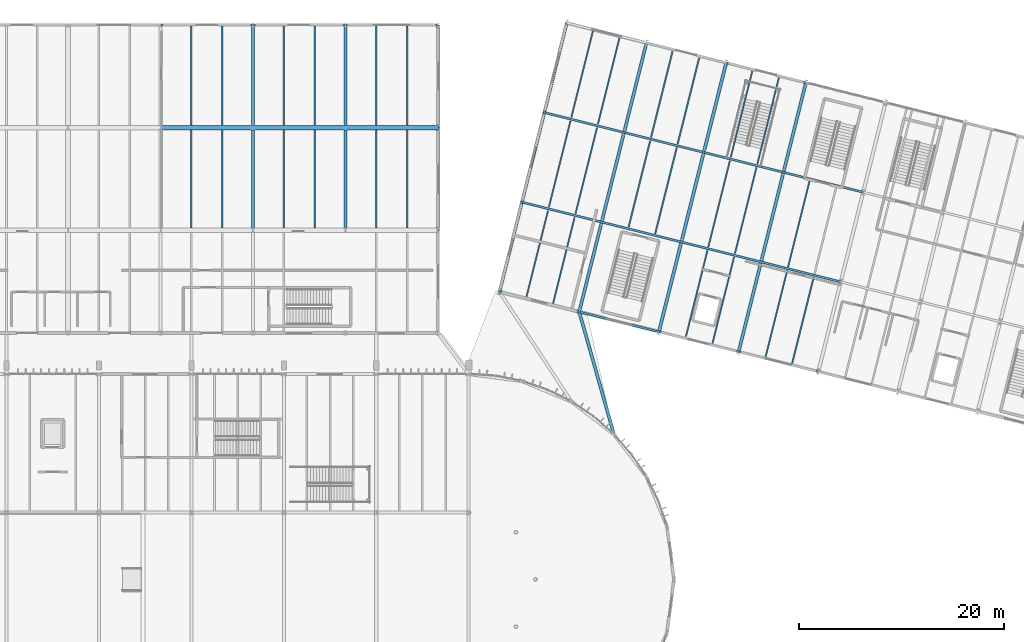
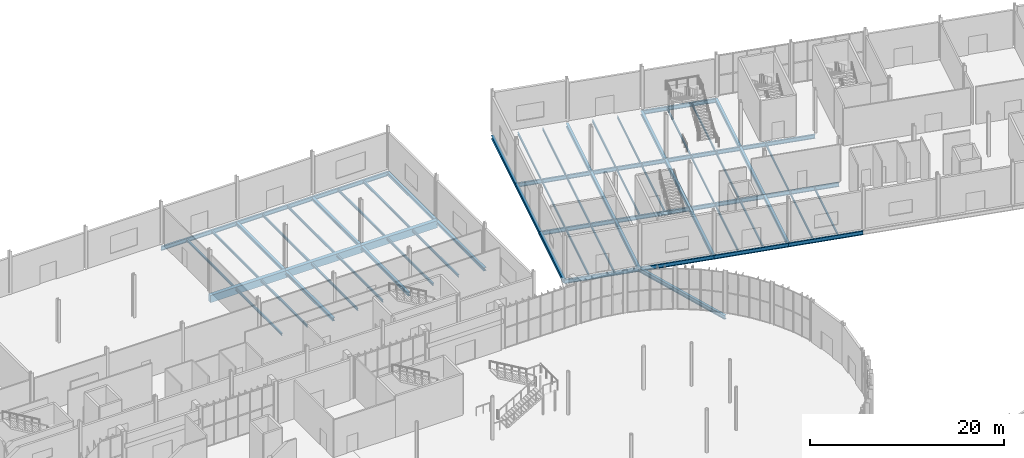
# One storey, part 76 of 158: 69 beams.
"""IFC4 building model written with IfcOpenShell, lengths in metres."""

import ifcopenshell
import ifcopenshell.guid

model = None  # the IFC model being written
_history = None  # IfcOwnerHistory: only IFC2X3 demands one
_inside = {}  # id of a spatial element -> (the spatial element, [elements in it])
_under = {}  # id of a project, library or spatial element -> (it, [spatial elements below it])
_declared = {}  # id of a project -> (the project, [libraries it declares])
_typed = {}  # id of a type object -> (the type object, [elements of that type])
_made_of = {}  # id of a material, layer set ... -> (it, [elements and type objects made of it])


def new_model(schema):
    """Start an empty IFC model of exactly this schema.

    Asked for "IFC4X3", IfcOpenShell would pick the latest addendum, in which some entities
    have other attributes; the version numbers below select the first issue.
    IFC2X3 requires an IfcOwnerHistory on every rooted entity: one is made here for all.
    """
    global model, _history
    if schema == "IFC4X3":
        model = ifcopenshell.file(schema_version=(4, 3, 0, 0))
    else:
        model = ifcopenshell.file(schema=schema)
    _inside.clear()
    _under.clear()
    _declared.clear()
    _typed.clear()
    _made_of.clear()
    _history = None
    if model.schema == "IFC2X3":
        org = make("IfcOrganization", Name="unknown")
        user = make(
            "IfcPersonAndOrganization",
            ThePerson=make("IfcPerson", FamilyName="unknown"),
            TheOrganization=org,
        )
        app = make(
            "IfcApplication",
            ApplicationDeveloper=org,
            Version="unknown",
            ApplicationFullName="unknown",
            ApplicationIdentifier="unknown",
        )
        _history = make(
            "IfcOwnerHistory",
            OwningUser=user,
            OwningApplication=app,
            ChangeAction="ADDED",
            CreationDate=0,
        )
    return model


def make(cls, **values):
    """One entity of the class cls with the attributes given. An attribute that is None is left unset."""
    return model.create_entity(
        cls, **{name: value for name, value in values.items() if value is not None}
    )


def rooted(cls, **values):
    """An entity with a GlobalId (a new one), such as an element, a storey or a relation."""
    return make(cls, GlobalId=ifcopenshell.guid.new(), OwnerHistory=_history, **values)


def si_unit(unit_type, name, prefix=None):
    """IfcSIUnit, for example si_unit("LENGTHUNIT", "METRE", prefix="MILLI")."""
    return make("IfcSIUnit", UnitType=unit_type, Prefix=prefix, Name=name)


def derived_unit(unit_type, elements):
    """IfcDerivedUnit: a product of units, each with its exponent."""
    return make(
        "IfcDerivedUnit",
        Elements=[
            make("IfcDerivedUnitElement", Unit=unit, Exponent=power)
            for unit, power in elements
        ],
        UnitType=unit_type,
    )


def assignment(units):
    """IfcUnitAssignment: the units of a project."""
    return None if units is None else make("IfcUnitAssignment", Units=units)


def point(xyz):
    """IfcCartesianPoint."""
    return None if xyz is None else make("IfcCartesianPoint", Coordinates=xyz)


def direction(xyz):
    """IfcDirection."""
    return None if xyz is None else make("IfcDirection", DirectionRatios=xyz)


def frame(location, z_axis=None, x_axis=None):
    """IfcAxis2Placement3D, a coordinate frame: its origin and axes. An axis left out is left unset."""
    return make(
        "IfcAxis2Placement3D",
        Location=point(location),
        Axis=direction(z_axis),
        RefDirection=direction(x_axis),
    )


def frame_2d(location, x_axis=None):
    """IfcAxis2Placement2D, a coordinate frame in the plane: its origin and x axis."""
    return make(
        "IfcAxis2Placement2D", Location=point(location), RefDirection=direction(x_axis)
    )


def origin():
    """The frame at (0, 0, 0) with its axes left unset."""
    return frame((0.0, 0.0, 0.0))


def origin_2d():
    """The frame at (0, 0) in the plane with its x axis left unset."""
    return frame_2d((0.0, 0.0))


def place(relative_to, where):
    """IfcLocalPlacement: puts the frame where relative to a parent placement (None: the world)."""
    return make(
        "IfcLocalPlacement", PlacementRelTo=relative_to, RelativePlacement=where
    )


def context(
    kind, dimensions, precision=None, world=None, true_north=None, identifier=None
):
    """IfcGeometricRepresentationContext, for example the 3D "Model" context."""
    return make(
        "IfcGeometricRepresentationContext",
        ContextIdentifier=identifier,
        ContextType=kind,
        CoordinateSpaceDimension=dimensions,
        Precision=precision,
        WorldCoordinateSystem=world,
        TrueNorth=true_north,
    )


def subcontext(parent, identifier, kind, view, scale=None):
    """IfcGeometricRepresentationSubContext, for example "Body" below "Model"."""
    return make(
        "IfcGeometricRepresentationSubContext",
        ContextIdentifier=identifier,
        ContextType=kind,
        ParentContext=parent,
        TargetScale=scale,
        TargetView=view,
    )


def project(units=None, contexts=None):
    """IfcProject with its units and contexts."""
    return rooted(
        "IfcProject",
        Name="project",
        RepresentationContexts=contexts,
        UnitsInContext=assignment(units),
    )


def spatial(cls, under=None, at=None, **own):
    """A site, building, storey or space (cls), placed at a placement, below another one or the project."""
    s = rooted(cls, ObjectPlacement=at, **own)
    if under is not None:
        _under.setdefault(under.id(), (under, []))[1].append(s)
    return s


def profile(cls, at=None, kind="AREA", **sizes):
    """A parametric profile (cls). Its sizes go by their IFC names, for example OverallWidth=200.0."""
    return make(cls, ProfileType=kind, Position=at, **sizes)


def rectangle(**sizes):
    """IfcRectangleProfileDef."""
    return profile("IfcRectangleProfileDef", **sizes)


def i_section(**sizes):
    """IfcIShapeProfileDef."""
    return profile("IfcIShapeProfileDef", **sizes)


def extrude(swept, where, along, depth):
    """IfcExtrudedAreaSolid: the profile swept, set in the frame where, extruded along a direction by depth."""
    return make(
        "IfcExtrudedAreaSolid",
        SweptArea=swept,
        Position=where,
        ExtrudedDirection=direction(along),
        Depth=depth,
    )


def shape(context_of_items, identifier, shape_type, items):
    """IfcShapeRepresentation: the items that make up one representation, for example the "Body"."""
    return make(
        "IfcShapeRepresentation",
        ContextOfItems=context_of_items,
        RepresentationIdentifier=identifier,
        RepresentationType=shape_type,
        Items=items,
    )


def material(Name=None, Category=None):
    """IfcMaterial."""
    return make("IfcMaterial", Name=Name, Category=Category)


def material_profile(
    of_material, cross_section, Name=None, Category=None, Priority=None
):
    """IfcMaterialProfile: a cross section and its material."""
    return make(
        "IfcMaterialProfile",
        Name=Name,
        Material=of_material,
        Profile=cross_section,
        Priority=Priority,
        Category=Category,
    )


def profile_set(profiles, Name=None, composite=None):
    """IfcMaterialProfileSet."""
    return make(
        "IfcMaterialProfileSet",
        Name=Name,
        MaterialProfiles=profiles,
        CompositeProfile=composite,
    )


def made_of(thing, what):
    """Note that an element or type object is made of a material, layer set ...; save() writes the relation."""
    if what is not None:
        _made_of.setdefault(what.id(), (what, []))[1].append(thing)
    return thing


def type_object(cls, material=None, **own):
    """A type object (cls), such as IfcWallType, which elements share."""
    return made_of(rooted(cls, **own), material)


def element(
    cls,
    number,
    at=None,
    inside=None,
    cuts=None,
    type_object=None,
    material=None,
    context=None,
    identifier="Body",
    shape_type=None,
    held_by="IfcProductDefinitionShape",
    body=None,
    shapes=None,
    **own,
):
    """One element of the class cls, such as IfcWall. Its Tag is "e" and its number.

    at: its placement. inside: the storey or other place that contains it. cuts: it is an
    opening in that element (IfcRelVoidsElement). A single representation is given by context,
    identifier, shape_type and body (its items); several are given by shapes. held_by: the class
    of the entity that holds the representations. save() writes the other relations.
    """
    e = rooted(cls, Tag="e%d" % number, ObjectPlacement=at, **own)
    if body is not None:
        shapes = [shape(context, identifier, shape_type, body)]
    if shapes is not None:
        e.Representation = make(held_by, Representations=shapes)
    if inside is not None:
        _inside.setdefault(inside.id(), (inside, []))[1].append(e)
    if cuts is not None:
        rooted(
            "IfcRelVoidsElement", RelatingBuildingElement=cuts, RelatedOpeningElement=e
        )
    if type_object is not None:
        _typed.setdefault(type_object.id(), (type_object, []))[1].append(e)
    return made_of(e, material)


def aggregate(whole, parts):
    """IfcRelAggregates: a whole, such as a stair, and the parts it consists of."""
    return rooted("IfcRelAggregates", RelatingObject=whole, RelatedObjects=parts)


def save(model, path):
    """Write the relations noted so far, then the file.

    IfcRelAggregates (storeys below a building ...), IfcRelContainedInSpatialStructure (elements
    in a storey), IfcRelDefinesByType, IfcRelAssociatesMaterial and IfcRelDeclares: one each for
    every whole, place, type object, material and project.
    """
    for whole, parts in _under.values():
        aggregate(whole, parts)
    for where, things in _inside.values():
        rooted(
            "IfcRelContainedInSpatialStructure",
            RelatedElements=things,
            RelatingStructure=where,
        )
    for kind, things in _typed.values():
        rooted("IfcRelDefinesByType", RelatedObjects=things, RelatingType=kind)
    for what, things in _made_of.values():
        rooted("IfcRelAssociatesMaterial", RelatedObjects=things, RelatingMaterial=what)
    for by, libraries in _declared.values():
        rooted("IfcRelDeclares", RelatingContext=by, RelatedDefinitions=libraries)
    model.write(path)


model = new_model("IFC4")

# Units and contexts
model_context = context("Model", 3, precision=1e-05, world=origin(), true_north=direction((0.0, 1.0)))
body_context = subcontext(model_context, "Body", "Model", "MODEL_VIEW")
ifc_project = project(units=[si_unit("LENGTHUNIT", "METRE"), si_unit("AREAUNIT", "SQUARE_METRE"), si_unit("VOLUMEUNIT", "CUBIC_METRE"), si_unit("PLANEANGLEUNIT", "RADIAN"), si_unit("MASSUNIT", "GRAM", prefix="KILO"), si_unit("THERMODYNAMICTEMPERATUREUNIT", "KELVIN"), si_unit("TIMEUNIT", "SECOND"), derived_unit("THERMALTRANSMITTANCEUNIT", [(si_unit("MASSUNIT", "GRAM", prefix="KILO"), 1), (si_unit("THERMODYNAMICTEMPERATUREUNIT", "KELVIN"), -1), (si_unit("TIMEUNIT", "SECOND"), -3)])], contexts=[model_context])

# Site, building, storey
site_placement = place(None, origin())
site = spatial("IfcSite", under=ifc_project, at=site_placement, CompositionType="ELEMENT")
building_placement = place(site_placement, origin())
building = spatial("IfcBuilding", under=site, at=building_placement, Name="Cambertide Market Hall", CompositionType="ELEMENT")
storey_placement = place(building_placement, origin())
storey = spatial("IfcBuildingStorey", under=building, at=storey_placement, Name="L01", CompositionType="ELEMENT", Elevation=0.0)

# Beams
ifc_material_1 = material(Name="Concrete B35", Category="concrete")
ifc_material_profile_1 = material_profile(ifc_material_1, rectangle(XDim=0.449951171875, YDim=0.89990234375, at=origin_2d()), Name="RC 450x900")
ifc_profile_set_1 = profile_set([ifc_material_profile_1], Name="Concrete B35")
beam_type_1 = type_object("IfcBeamType", Name="Concrete Girder RC 450x900", PredefinedType="BEAM", material=ifc_profile_set_1)
for number, where, z_axis, x_axis, name in (
    (1, (75.0, 116.0, -0.81005859375), (1.0, 0.0, 0.0), (0.0, 1.0, 0.0), "Level 1 Beam BM-V2X-L01-8-3"),
    (2, (84.0, 116.0, -0.81005859375), (1.0, 0.0, 0.0), (0.0, 1.0, 0.0), "Level 1 Beam BM-V2X-L01-9-3"),
    (3, (93.0, 116.0, -0.81005859375), (1.0, 0.0, 0.0), (0.0, 1.0, 0.0), "Level 1 Beam BM-V2X-L01-10-3"),
):
    element("IfcBeam", number, at=place(storey_placement, frame(where, z_axis=z_axis, x_axis=x_axis)), inside=storey, type_object=beam_type_1, Name=name, PredefinedType="BEAM", context=body_context, shape_type="SweptSolid", body=[
        extrude(rectangle(XDim=0.449951171875, YDim=0.89990234375, at=origin_2d()), origin(), (0.0, 0.0, 1.0), 9.0),
    ])
ifc_material_2 = material(Name="Steel S355", Category="steel")
ifc_material_profile_2 = material_profile(ifc_material_2, i_section(OverallWidth=0.300048828125, OverallDepth=0.5, WebThickness=0.014404296875, FlangeThickness=0.028076171875, FilletRadius=0.027099609375, at=origin_2d()), Name="HEB 500")
ifc_profile_set_2 = profile_set([ifc_material_profile_2], Name="Steel S355")
beam_type_2 = type_object("IfcBeamType", Name="Exterior Steel Girder HEB 500", PredefinedType="BEAM", material=ifc_profile_set_2)
beam_1_placement = place(storey_placement, frame((119.14208984375, 86.14208984375, -0.544921875), z_axis=(-0.272914214715, 0.962038373146, 0.0), x_axis=(-0.962038373146, -0.272914214715, 0.0)))
element("IfcBeam", 4, at=beam_1_placement, inside=storey, type_object=beam_type_2, Name="Level 1 Beam TIE-V1V4-2", PredefinedType="BEAM", context=body_context, shape_type="SweptSolid", body=[
    extrude(i_section(OverallWidth=0.300048828125, OverallDepth=0.5, WebThickness=0.014404296875, FlangeThickness=0.028076171875, FilletRadius=0.027099609375, at=origin_2d()), origin(), (0.0, 0.0, 1.0), 12.387939453125),
])
ifc_material_3 = material(Name="Steel S355", Category="steel")
ifc_material_profile_3 = material_profile(ifc_material_3, i_section(OverallWidth=0.300048828125, OverallDepth=0.39990234375, WebThickness=0.013427734375, FlangeThickness=0.02392578125, FilletRadius=0.027099609375, at=origin_2d()), Name="HEB 400")
ifc_profile_set_3 = profile_set([ifc_material_profile_3], Name="Steel S355")
beam_type_3 = type_object("IfcBeamType", Name="Steel Girder HEB 400", PredefinedType="BEAM", material=ifc_profile_set_3)
for number, where, z_axis, x_axis, name in (
    (5, (84.0, 106.0, -0.56005859375), (0.0, 1.0, 0.0), (-1.0, 0.0, 0.0), "Level 1 Beam BM-V2Y-L01-9-2"),
    (6, (84.0, 116.0, -0.56005859375), (0.0, 1.0, 0.0), (-1.0, 0.0, 0.0), "Level 1 Beam BM-V2Y-L01-9-3"),
    (7, (93.0, 106.0, -0.56005859375), (0.0, 1.0, 0.0), (-1.0, 0.0, 0.0), "Level 1 Beam BM-V2Y-L01-10-2"),
    (8, (93.0, 116.0, -0.56005859375), (0.0, 1.0, 0.0), (-1.0, 0.0, 0.0), "Level 1 Beam BM-V2Y-L01-10-3"),
    (9, (102.0, 106.0, -0.56005859375), (0.0, 1.0, 0.0), (-1.0, 0.0, 0.0), "Level 1 Beam BM-V2Y-L01-11-2"),
    (10, (102.0, 116.0, -0.56005859375), (0.0, 1.0, 0.0), (-1.0, 0.0, 0.0), "Level 1 Beam BM-V2Y-L01-11-3"),
):
    element("IfcBeam", number, at=place(storey_placement, frame(where, z_axis=z_axis, x_axis=x_axis)), inside=storey, type_object=beam_type_3, Name=name, PredefinedType="BEAM", context=body_context, shape_type="SweptSolid", body=[
        extrude(i_section(OverallWidth=0.300048828125, OverallDepth=0.39990234375, WebThickness=0.013427734375, FlangeThickness=0.02392578125, FilletRadius=0.027099609375, at=origin_2d()), origin(), (0.0, 0.0, 1.0), 10.0),
    ])
ifc_material_4 = material(Name="Steel S355", Category="steel")
ifc_material_profile_4 = material_profile(ifc_material_4, i_section(OverallWidth=0.300048828125, OverallDepth=0.449951171875, WebThickness=0.013916015625, FlangeThickness=0.02587890625, FilletRadius=0.027099609375, at=origin_2d()), Name="HEB 450")
ifc_profile_set_4 = profile_set([ifc_material_profile_4], Name="Steel S355")
beam_type_4 = type_object("IfcBeamType", Name="Steel Girder HEB 450", PredefinedType="BEAM", material=ifc_profile_set_4)
beam_2_placement = place(storey_placement, frame((108.0, 100.0, -0.52490234375), z_axis=(0.242542007841, 0.970140904422, 0.0), x_axis=(-0.970140904422, 0.242542007841, 0.0)))
element("IfcBeam", 11, at=beam_2_placement, inside=storey, type_object=beam_type_4, Name="Level 1 Beam BM-V4V-L01-1-1", PredefinedType="BEAM", context=body_context, shape_type="SweptSolid", body=[
    extrude(i_section(OverallWidth=0.300048828125, OverallDepth=0.449951171875, WebThickness=0.013916015625, FlangeThickness=0.02587890625, FilletRadius=0.027099609375, at=origin_2d()), origin(), (0.0, 0.0, 1.0), 9.0),
])
beam_3_placement = place(storey_placement, frame((110.182861328125, 108.731201171875, -0.52490234375), z_axis=(0.242535625036, 0.970142500145, 0.0), x_axis=(-0.970142500145, 0.242535625036, 0.0)))
element("IfcBeam", 12, at=beam_3_placement, inside=storey, type_object=beam_type_4, Name="Level 1 Beam BM-V4V-L01-1-2", PredefinedType="BEAM", context=body_context, shape_type="SweptSolid", body=[
    extrude(i_section(OverallWidth=0.300048828125, OverallDepth=0.449951171875, WebThickness=0.013916015625, FlangeThickness=0.02587890625, FilletRadius=0.027099609375, at=origin_2d()), origin(), (0.0, 0.0, 1.0), 9.000244140625),
])
beam_4_placement = place(storey_placement, frame((112.36572265625, 117.462646484375, -0.52490234375), z_axis=(0.242542007841, 0.970140904422, 0.0), x_axis=(-0.970140904422, 0.242542007841, 0.0)))
element("IfcBeam", 13, at=beam_4_placement, inside=storey, type_object=beam_type_4, Name="Level 1 Beam BM-V4V-L01-1-3", PredefinedType="BEAM", context=body_context, shape_type="SweptSolid", body=[
    extrude(i_section(OverallWidth=0.300048828125, OverallDepth=0.449951171875, WebThickness=0.013916015625, FlangeThickness=0.02587890625, FilletRadius=0.027099609375, at=origin_2d()), origin(), (0.0, 0.0, 1.0), 9.0),
])
beam_5_placement = place(storey_placement, frame((115.76123046875, 98.059814453125, -0.52490234375), z_axis=(0.242516476432, 0.970147287096, 0.0), x_axis=(-0.970147287096, 0.242516476432, 0.0)))
element("IfcBeam", 14, at=beam_5_placement, inside=storey, type_object=beam_type_4, Name="Level 1 Beam BM-V4V-L01-2-1", PredefinedType="BEAM", context=body_context, shape_type="SweptSolid", body=[
    extrude(i_section(OverallWidth=0.300048828125, OverallDepth=0.449951171875, WebThickness=0.013916015625, FlangeThickness=0.02587890625, FilletRadius=0.027099609375, at=origin_2d()), origin(), (0.0, 0.0, 1.0), 8.999755859375),
])
beam_6_placement = place(storey_placement, frame((117.94384765625, 106.791015625, -0.52490234375), z_axis=(0.242542007841, 0.970140904422, 0.0), x_axis=(-0.970140904422, 0.242542007841, 0.0)))
element("IfcBeam", 15, at=beam_6_placement, inside=storey, type_object=beam_type_4, Name="Level 1 Beam BM-V4V-L01-2-2", PredefinedType="BEAM", context=body_context, shape_type="SweptSolid", body=[
    extrude(i_section(OverallWidth=0.300048828125, OverallDepth=0.449951171875, WebThickness=0.013916015625, FlangeThickness=0.02587890625, FilletRadius=0.027099609375, at=origin_2d()), origin(), (0.0, 0.0, 1.0), 9.0),
])
for number, where, z_axis, x_axis, name in (
    (16, (120.126708984375, 115.522216796875, -0.52490234375), (0.242535625036, 0.970142500145, 0.0), (-0.970142500145, 0.242535625036, 0.0), "Level 1 Beam BM-V4V-L01-2-3"),
    (17, (123.522216796875, 96.119384765625, -0.52490234375), (0.242535625036, 0.970142500145, 0.0), (-0.970142500145, 0.242535625036, 0.0), "Level 1 Beam BM-V4V-L01-3-1"),
):
    element("IfcBeam", number, at=place(storey_placement, frame(where, z_axis=z_axis, x_axis=x_axis)), inside=storey, type_object=beam_type_4, Name=name, PredefinedType="BEAM", context=body_context, shape_type="SweptSolid", body=[
        extrude(i_section(OverallWidth=0.300048828125, OverallDepth=0.449951171875, WebThickness=0.013916015625, FlangeThickness=0.02587890625, FilletRadius=0.027099609375, at=origin_2d()), origin(), (0.0, 0.0, 1.0), 9.000244140625),
    ])
for number, where, z_axis, x_axis, name in (
    (18, (125.705078125, 104.850830078125, -0.52490234375), (0.242542007841, 0.970140904422, 0.0), (-0.970140904422, 0.242542007841, 0.0), "Level 1 Beam BM-V4V-L01-3-2"),
    (19, (127.887939453125, 113.58203125, -0.52490234375), (0.242542007841, 0.970140904422, 0.0), (-0.970140904422, 0.242542007841, 0.0), "Level 1 Beam BM-V4V-L01-3-3"),
    (20, (131.283447265625, 94.17919921875, -0.52490234375), (0.242542007841, 0.970140904422, 0.0), (-0.970140904422, 0.242542007841, 0.0), "Level 1 Beam BM-V4V-L01-4-1"),
    (21, (133.46630859375, 102.910400390625, -0.52490234375), (0.242542007841, 0.970140904422, 0.0), (-0.970140904422, 0.242542007841, 0.0), "Level 1 Beam BM-V4V-L01-4-2"),
    (22, (135.649169921875, 111.6416015625, -0.52490234375), (0.242510094215, 0.970148882494, 0.0), (-0.970148882494, 0.242510094215, 0.0), "Level 1 Beam BM-V4V-L01-4-3"),
):
    element("IfcBeam", number, at=place(storey_placement, frame(where, z_axis=z_axis, x_axis=x_axis)), inside=storey, type_object=beam_type_4, Name=name, PredefinedType="BEAM", context=body_context, shape_type="SweptSolid", body=[
        extrude(i_section(OverallWidth=0.300048828125, OverallDepth=0.449951171875, WebThickness=0.013916015625, FlangeThickness=0.02587890625, FilletRadius=0.027099609375, at=origin_2d()), origin(), (0.0, 0.0, 1.0), 9.0),
    ])
ifc_material_5 = material(Name="Steel S355", Category="steel")
ifc_material_profile_5 = material_profile(ifc_material_5, i_section(OverallWidth=0.199951171875, OverallDepth=0.5, WebThickness=0.01025390625, FlangeThickness=0.01611328125, FilletRadius=0.02099609375, at=origin_2d()), Name="IPE 500")
ifc_profile_set_5 = profile_set([ifc_material_profile_5], Name="Steel S355")
beam_type_5 = type_object("IfcBeamType", Name="Steel Girder IPE 500", PredefinedType="BEAM", material=ifc_profile_set_5)
for number, where, z_axis, x_axis, name in (
    (23, (75.0, 126.0, -0.610107421875), (1.0, 0.0, 0.0), (0.0, 1.0, 0.0), "Level 1 Beam BM-V2X-L01-8-4"),
    (24, (84.0, 126.0, -0.610107421875), (1.0, 0.0, 0.0), (0.0, 1.0, 0.0), "Level 1 Beam BM-V2X-L01-9-4"),
    (25, (93.0, 126.0, -0.610107421875), (1.0, 0.0, 0.0), (0.0, 1.0, 0.0), "Level 1 Beam BM-V2X-L01-10-4"),
):
    element("IfcBeam", number, at=place(storey_placement, frame(where, z_axis=z_axis, x_axis=x_axis)), inside=storey, type_object=beam_type_5, Name=name, PredefinedType="BEAM", context=body_context, shape_type="SweptSolid", body=[
        extrude(i_section(OverallWidth=0.199951171875, OverallDepth=0.5, WebThickness=0.01025390625, FlangeThickness=0.01611328125, FilletRadius=0.02099609375, at=origin_2d()), origin(), (0.0, 0.0, 1.0), 9.0),
    ])
beam_7_placement = place(storey_placement, frame((108.0, 100.0, -0.550048828125), z_axis=(0.970146090314, -0.242521263911, 0.0), x_axis=(0.242521263911, 0.970146090314, 0.0)))
element("IfcBeam", 26, at=beam_7_placement, inside=storey, type_object=beam_type_5, Name="Level 1 Beam BM-V4U-L01-1-1", PredefinedType="BEAM", context=body_context, shape_type="SweptSolid", body=[
    extrude(i_section(OverallWidth=0.199951171875, OverallDepth=0.5, WebThickness=0.01025390625, FlangeThickness=0.01611328125, FilletRadius=0.02099609375, at=origin_2d()), origin(), (0.0, 0.0, 1.0), 8.0),
])
beam_8_placement = place(storey_placement, frame((110.182861328125, 108.731201171875, -0.550048828125), z_axis=(0.970144295309, -0.242528444268, 0.0), x_axis=(0.242528444268, 0.970144295309, 0.0)))
element("IfcBeam", 27, at=beam_8_placement, inside=storey, type_object=beam_type_5, Name="Level 1 Beam BM-V4U-L01-1-2", PredefinedType="BEAM", context=body_context, shape_type="SweptSolid", body=[
    extrude(i_section(OverallWidth=0.199951171875, OverallDepth=0.5, WebThickness=0.01025390625, FlangeThickness=0.01611328125, FilletRadius=0.02099609375, at=origin_2d()), origin(), (0.0, 0.0, 1.0), 7.999755859375),
])
for number, where, z_axis, x_axis, name in (
    (28, (112.36572265625, 117.462646484375, -0.550048828125), (0.970137114374, -0.242557167103, 0.0), (0.242557167103, 0.970137114374, 0.0), "Level 1 Beam BM-V4U-L01-1-3"),
    (29, (115.76123046875, 98.059814453125, -0.550048828125), (0.970137114374, -0.242557167103, 0.0), (0.242557167103, 0.970137114374, 0.0), "Level 1 Beam BM-V4U-L01-2-1"),
    (30, (117.94384765625, 106.791015625, -0.550048828125), (0.970146090314, -0.242521263911, 0.0), (0.242521263911, 0.970146090314, 0.0), "Level 1 Beam BM-V4U-L01-2-2"),
    (31, (120.126708984375, 115.522216796875, -0.550048828125), (0.970146090314, -0.242521263911, 0.0), (0.242521263911, 0.970146090314, 0.0), "Level 1 Beam BM-V4U-L01-2-3"),
    (32, (123.522216796875, 96.119384765625, -0.550048828125), (0.970146090314, -0.242521263911, 0.0), (0.242521263911, 0.970146090314, 0.0), "Level 1 Beam BM-V4U-L01-3-1"),
):
    element("IfcBeam", number, at=place(storey_placement, frame(where, z_axis=z_axis, x_axis=x_axis)), inside=storey, type_object=beam_type_5, Name=name, PredefinedType="BEAM", context=body_context, shape_type="SweptSolid", body=[
        extrude(i_section(OverallWidth=0.199951171875, OverallDepth=0.5, WebThickness=0.01025390625, FlangeThickness=0.01611328125, FilletRadius=0.02099609375, at=origin_2d()), origin(), (0.0, 0.0, 1.0), 8.0),
    ])
for number, where, z_axis, x_axis, name in (
    (33, (125.705078125, 104.850830078125, -0.550048828125), (0.970138909791, -0.242549986002, 0.0), (0.242549986002, 0.970138909791, 0.0), "Level 1 Beam BM-V4U-L01-3-2"),
    (34, (127.887939453125, 113.58203125, -0.550048828125), (0.970138909791, -0.242549986002, 0.0), (0.242549986002, 0.970138909791, 0.0), "Level 1 Beam BM-V4U-L01-3-3"),
):
    element("IfcBeam", number, at=place(storey_placement, frame(where, z_axis=z_axis, x_axis=x_axis)), inside=storey, type_object=beam_type_5, Name=name, PredefinedType="BEAM", context=body_context, shape_type="SweptSolid", body=[
        extrude(i_section(OverallWidth=0.199951171875, OverallDepth=0.5, WebThickness=0.01025390625, FlangeThickness=0.01611328125, FilletRadius=0.02099609375, at=origin_2d()), origin(), (0.0, 0.0, 1.0), 8.000244140625),
    ])
beam_9_placement = place(storey_placement, frame((130.07080078125, 122.313232421875, -0.550048828125), z_axis=(0.970144295309, -0.242528444268, 0.0), x_axis=(0.242528444268, 0.970144295309, 0.0)))
element("IfcBeam", 35, at=beam_9_placement, inside=storey, type_object=beam_type_5, Name="Level 1 Beam BM-V4U-L01-3-4", PredefinedType="BEAM", context=body_context, shape_type="SweptSolid", body=[
    extrude(i_section(OverallWidth=0.199951171875, OverallDepth=0.5, WebThickness=0.01025390625, FlangeThickness=0.01611328125, FilletRadius=0.02099609375, at=origin_2d()), origin(), (0.0, 0.0, 1.0), 7.999755859375),
])
beam_10_placement = place(storey_placement, frame((131.283447265625, 94.17919921875, -0.550048828125), z_axis=(0.970138909791, -0.242549986002, 0.0), x_axis=(0.242549986002, 0.970138909791, 0.0)))
element("IfcBeam", 36, at=beam_10_placement, inside=storey, type_object=beam_type_5, Name="Level 1 Beam BM-V4U-L01-4-1", PredefinedType="BEAM", context=body_context, shape_type="SweptSolid", body=[
    extrude(i_section(OverallWidth=0.199951171875, OverallDepth=0.5, WebThickness=0.01025390625, FlangeThickness=0.01611328125, FilletRadius=0.02099609375, at=origin_2d()), origin(), (0.0, 0.0, 1.0), 8.000244140625),
])
for number, where, z_axis, x_axis, name in (
    (37, (133.46630859375, 102.910400390625, -0.550048828125), (0.970144295309, -0.242528444268, 0.0), (0.242528444268, 0.970144295309, 0.0), "Level 1 Beam BM-V4U-L01-4-2"),
    (38, (135.649169921875, 111.6416015625, -0.550048828125), (0.970144295309, -0.242528444268, 0.0), (0.242528444268, 0.970144295309, 0.0), "Level 1 Beam BM-V4U-L01-4-3"),
):
    element("IfcBeam", number, at=place(storey_placement, frame(where, z_axis=z_axis, x_axis=x_axis)), inside=storey, type_object=beam_type_5, Name=name, PredefinedType="BEAM", context=body_context, shape_type="SweptSolid", body=[
        extrude(i_section(OverallWidth=0.199951171875, OverallDepth=0.5, WebThickness=0.01025390625, FlangeThickness=0.01611328125, FilletRadius=0.02099609375, at=origin_2d()), origin(), (0.0, 0.0, 1.0), 7.999755859375),
    ])
ifc_material_6 = material(Name="Steel S275", Category="steel")
ifc_material_profile_6 = material_profile(ifc_material_6, i_section(OverallWidth=0.135009765625, OverallDepth=0.27001953125, WebThickness=0.006591796875, FlangeThickness=0.01025390625, FilletRadius=0.014892578125, at=origin_2d()), Name="IPE 270")
ifc_profile_set_6 = profile_set([ifc_material_profile_6], Name="Steel S275")
beam_type_6 = type_object("IfcBeamType", Name="Steel Secondary Joist IPE 270", PredefinedType="JOIST", material=ifc_profile_set_6)
for number, where, z_axis, x_axis, name in (
    (39, (110.630615234375, 99.52783203125, -0.43505859375), (0.242555570896, 0.970137513463, 0.0), (-0.970137513463, 0.242555570896, 0.0), "Level 1 Joist JS-V4-L01-1-1-1"),
    (40, (113.2177734375, 98.881103515625, -0.43505859375), (0.242528976348, 0.970144162293, 0.0), (-0.970144162293, 0.242528976348, 0.0), "Level 1 Joist JS-V4-L01-1-1-2"),
    (41, (112.8134765625, 108.259033203125, -0.43505859375), (0.242528976348, 0.970144162293, 0.0), (-0.970144162293, 0.242528976348, 0.0), "Level 1 Joist JS-V4-L01-1-2-1"),
    (42, (115.400634765625, 107.6123046875, -0.43505859375), (0.242528976348, 0.970144162293, 0.0), (-0.970144162293, 0.242528976348, 0.0), "Level 1 Joist JS-V4-L01-1-2-2"),
    (43, (114.996337890625, 116.990478515625, -0.43505859375), (0.242528976348, 0.970144162293, 0.0), (-0.970144162293, 0.242528976348, 0.0), "Level 1 Joist JS-V4-L01-1-3-1"),
):
    element("IfcBeam", number, at=place(storey_placement, frame(where, z_axis=z_axis, x_axis=x_axis)), inside=storey, type_object=beam_type_6, Name=name, PredefinedType="JOIST", context=body_context, shape_type="SweptSolid", body=[
        extrude(i_section(OverallWidth=0.135009765625, OverallDepth=0.27001953125, WebThickness=0.006591796875, FlangeThickness=0.01025390625, FilletRadius=0.014892578125, at=origin_2d()), origin(), (0.0, 0.0, 1.0), 8.64013671875),
    ])
beam_11_placement = place(storey_placement, frame((117.58349609375, 116.34375, -0.43505859375), z_axis=(0.242535625036, 0.970142500145, 0.0), x_axis=(-0.970142500145, 0.242535625036, 0.0)))
element("IfcBeam", 44, at=beam_11_placement, inside=storey, type_object=beam_type_6, Name="Level 1 Joist JS-V4-L01-1-3-2", PredefinedType="JOIST", context=body_context, shape_type="SweptSolid", body=[
    extrude(i_section(OverallWidth=0.135009765625, OverallDepth=0.27001953125, WebThickness=0.006591796875, FlangeThickness=0.01025390625, FilletRadius=0.014892578125, at=origin_2d()), origin(), (0.0, 0.0, 1.0), 8.639892578125),
])
for number, where, z_axis, x_axis, name in (
    (45, (120.57470703125, 106.31884765625, -0.43505859375), (0.242528976348, 0.970144162293, 0.0), (-0.970144162293, 0.242528976348, 0.0), "Level 1 Joist JS-V4-L01-2-2-1"),
    (46, (123.16162109375, 105.672119140625, -0.43505859375), (0.242555570896, 0.970137513463, 0.0), (-0.970137513463, 0.242555570896, 0.0), "Level 1 Joist JS-V4-L01-2-2-2"),
    (47, (122.757568359375, 115.050048828125, -0.43505859375), (0.242528976348, 0.970144162293, 0.0), (-0.970144162293, 0.242528976348, 0.0), "Level 1 Joist JS-V4-L01-2-3-1"),
    (48, (125.344482421875, 114.4033203125, -0.43505859375), (0.242528976348, 0.970144162293, 0.0), (-0.970144162293, 0.242528976348, 0.0), "Level 1 Joist JS-V4-L01-2-3-2"),
    (49, (126.153076171875, 95.647216796875, -0.43505859375), (0.242528976348, 0.970144162293, 0.0), (-0.970144162293, 0.242528976348, 0.0), "Level 1 Joist JS-V4-L01-3-1-1"),
    (50, (128.739990234375, 95.00048828125, -0.43505859375), (0.242528976348, 0.970144162293, 0.0), (-0.970144162293, 0.242528976348, 0.0), "Level 1 Joist JS-V4-L01-3-1-2"),
):
    element("IfcBeam", number, at=place(storey_placement, frame(where, z_axis=z_axis, x_axis=x_axis)), inside=storey, type_object=beam_type_6, Name=name, PredefinedType="JOIST", context=body_context, shape_type="SweptSolid", body=[
        extrude(i_section(OverallWidth=0.135009765625, OverallDepth=0.27001953125, WebThickness=0.006591796875, FlangeThickness=0.01025390625, FilletRadius=0.014892578125, at=origin_2d()), origin(), (0.0, 0.0, 1.0), 8.64013671875),
    ])
for number, where, z_axis, x_axis, name in (
    (51, (128.335693359375, 104.378662109375, -0.43505859375), (0.242562220222, 0.970135850962, 0.0), (-0.970135850962, 0.242562220222, 0.0), "Level 1 Joist JS-V4-L01-3-2-1"),
    (52, (130.9228515625, 103.73193359375, -0.43505859375), (0.242535625036, 0.970142500145, 0.0), (-0.970142500145, 0.242535625036, 0.0), "Level 1 Joist JS-V4-L01-3-2-2"),
):
    element("IfcBeam", number, at=place(storey_placement, frame(where, z_axis=z_axis, x_axis=x_axis)), inside=storey, type_object=beam_type_6, Name=name, PredefinedType="JOIST", context=body_context, shape_type="SweptSolid", body=[
        extrude(i_section(OverallWidth=0.135009765625, OverallDepth=0.27001953125, WebThickness=0.006591796875, FlangeThickness=0.01025390625, FilletRadius=0.014892578125, at=origin_2d()), origin(), (0.0, 0.0, 1.0), 8.639892578125),
    ])
for number, where, z_axis, x_axis, name in (
    (53, (130.5185546875, 113.10986328125, -0.43505859375), (0.242528976348, 0.970144162293, 0.0), (-0.970144162293, 0.242528976348, 0.0), "Level 1 Joist JS-V4-L01-3-3-1"),
    (54, (133.105712890625, 112.463134765625, -0.43505859375), (0.242528976348, 0.970144162293, 0.0), (-0.970144162293, 0.242528976348, 0.0), "Level 1 Joist JS-V4-L01-3-3-2"),
    (55, (133.9140625, 93.70703125, -0.43505859375), (0.242528976348, 0.970144162293, 0.0), (-0.970144162293, 0.242528976348, 0.0), "Level 1 Joist JS-V4-L01-4-1-1"),
    (56, (136.501220703125, 93.060302734375, -0.43505859375), (0.242528976348, 0.970144162293, 0.0), (-0.970144162293, 0.242528976348, 0.0), "Level 1 Joist JS-V4-L01-4-1-2"),
    (57, (136.096923828125, 102.438232421875, -0.43505859375), (0.242528976348, 0.970144162293, 0.0), (-0.970144162293, 0.242528976348, 0.0), "Level 1 Joist JS-V4-L01-4-2-1"),
):
    element("IfcBeam", number, at=place(storey_placement, frame(where, z_axis=z_axis, x_axis=x_axis)), inside=storey, type_object=beam_type_6, Name=name, PredefinedType="JOIST", context=body_context, shape_type="SweptSolid", body=[
        extrude(i_section(OverallWidth=0.135009765625, OverallDepth=0.27001953125, WebThickness=0.006591796875, FlangeThickness=0.01025390625, FilletRadius=0.014892578125, at=origin_2d()), origin(), (0.0, 0.0, 1.0), 8.64013671875),
    ])
ifc_material_7 = material(Name="Steel S275", Category="steel")
ifc_material_profile_7 = material_profile(ifc_material_7, i_section(OverallWidth=0.14990234375, OverallDepth=0.300048828125, WebThickness=0.007080078125, FlangeThickness=0.0107421875, FilletRadius=0.014892578125, at=origin_2d()), Name="IPE 300")
ifc_profile_set_7 = profile_set([ifc_material_profile_7], Name="Steel S275")
beam_type_7 = type_object("IfcBeamType", Name="Steel Secondary Joist IPE 300", PredefinedType="JOIST", material=ifc_profile_set_7)
for number, where, z_axis, x_axis, name in (
    (58, (78.0, 106.23291015625, -0.510009765625), (0.0, 1.0, 0.0), (-1.0, 0.0, 0.0), "Level 1 Joist JS-V2-L01-8-2-1"),
    (59, (81.0, 106.23291015625, -0.510009765625), (0.0, 1.0, 0.0), (-1.0, 0.0, 0.0), "Level 1 Joist JS-V2-L01-8-2-2"),
):
    element("IfcBeam", number, at=place(storey_placement, frame(where, z_axis=z_axis, x_axis=x_axis)), inside=storey, type_object=beam_type_7, Name=name, PredefinedType="JOIST", context=body_context, shape_type="SweptSolid", body=[
        extrude(i_section(OverallWidth=0.14990234375, OverallDepth=0.300048828125, WebThickness=0.007080078125, FlangeThickness=0.0107421875, FilletRadius=0.014892578125, at=origin_2d()), origin(), (0.0, 0.0, 1.0), 9.5341796875),
    ])
for number, where, z_axis, x_axis, name in (
    (60, (78.0, 116.23291015625, -0.510009765625), (0.0, 1.0, 0.0), (-1.0, 0.0, 0.0), "Level 1 Joist JS-V2-L01-8-3-1"),
    (61, (81.0, 116.23291015625, -0.510009765625), (0.0, 1.0, 0.0), (-1.0, 0.0, 0.0), "Level 1 Joist JS-V2-L01-8-3-2"),
):
    element("IfcBeam", number, at=place(storey_placement, frame(where, z_axis=z_axis, x_axis=x_axis)), inside=storey, type_object=beam_type_7, Name=name, PredefinedType="JOIST", context=body_context, shape_type="SweptSolid", body=[
        extrude(i_section(OverallWidth=0.14990234375, OverallDepth=0.300048828125, WebThickness=0.007080078125, FlangeThickness=0.0107421875, FilletRadius=0.014892578125, at=origin_2d()), origin(), (0.0, 0.0, 1.0), 9.6591796875),
    ])
for number, where, z_axis, x_axis, name in (
    (62, (87.0, 106.23291015625, -0.510009765625), (0.0, 1.0, 0.0), (-1.0, 0.0, 0.0), "Level 1 Joist JS-V2-L01-9-2-1"),
    (63, (90.0, 106.23291015625, -0.510009765625), (0.0, 1.0, 0.0), (-1.0, 0.0, 0.0), "Level 1 Joist JS-V2-L01-9-2-2"),
):
    element("IfcBeam", number, at=place(storey_placement, frame(where, z_axis=z_axis, x_axis=x_axis)), inside=storey, type_object=beam_type_7, Name=name, PredefinedType="JOIST", context=body_context, shape_type="SweptSolid", body=[
        extrude(i_section(OverallWidth=0.14990234375, OverallDepth=0.300048828125, WebThickness=0.007080078125, FlangeThickness=0.0107421875, FilletRadius=0.014892578125, at=origin_2d()), origin(), (0.0, 0.0, 1.0), 9.5341796875),
    ])
for number, where, z_axis, x_axis, name in (
    (64, (87.0, 116.23291015625, -0.510009765625), (0.0, 1.0, 0.0), (-1.0, 0.0, 0.0), "Level 1 Joist JS-V2-L01-9-3-1"),
    (65, (90.0, 116.23291015625, -0.510009765625), (0.0, 1.0, 0.0), (-1.0, 0.0, 0.0), "Level 1 Joist JS-V2-L01-9-3-2"),
):
    element("IfcBeam", number, at=place(storey_placement, frame(where, z_axis=z_axis, x_axis=x_axis)), inside=storey, type_object=beam_type_7, Name=name, PredefinedType="JOIST", context=body_context, shape_type="SweptSolid", body=[
        extrude(i_section(OverallWidth=0.14990234375, OverallDepth=0.300048828125, WebThickness=0.007080078125, FlangeThickness=0.0107421875, FilletRadius=0.014892578125, at=origin_2d()), origin(), (0.0, 0.0, 1.0), 9.6591796875),
    ])
for number, where, z_axis, x_axis, name in (
    (66, (96.0, 106.23291015625, -0.510009765625), (0.0, 1.0, 0.0), (-1.0, 0.0, 0.0), "Level 1 Joist JS-V2-L01-10-2-1"),
    (67, (99.0, 106.23291015625, -0.510009765625), (0.0, 1.0, 0.0), (-1.0, 0.0, 0.0), "Level 1 Joist JS-V2-L01-10-2-2"),
):
    element("IfcBeam", number, at=place(storey_placement, frame(where, z_axis=z_axis, x_axis=x_axis)), inside=storey, type_object=beam_type_7, Name=name, PredefinedType="JOIST", context=body_context, shape_type="SweptSolid", body=[
        extrude(i_section(OverallWidth=0.14990234375, OverallDepth=0.300048828125, WebThickness=0.007080078125, FlangeThickness=0.0107421875, FilletRadius=0.014892578125, at=origin_2d()), origin(), (0.0, 0.0, 1.0), 9.5341796875),
    ])
for number, where, z_axis, x_axis, name in (
    (68, (96.0, 116.23291015625, -0.510009765625), (0.0, 1.0, 0.0), (-1.0, 0.0, 0.0), "Level 1 Joist JS-V2-L01-10-3-1"),
    (69, (99.0, 116.23291015625, -0.510009765625), (0.0, 1.0, 0.0), (-1.0, 0.0, 0.0), "Level 1 Joist JS-V2-L01-10-3-2"),
):
    element("IfcBeam", number, at=place(storey_placement, frame(where, z_axis=z_axis, x_axis=x_axis)), inside=storey, type_object=beam_type_7, Name=name, PredefinedType="JOIST", context=body_context, shape_type="SweptSolid", body=[
        extrude(i_section(OverallWidth=0.14990234375, OverallDepth=0.300048828125, WebThickness=0.007080078125, FlangeThickness=0.0107421875, FilletRadius=0.014892578125, at=origin_2d()), origin(), (0.0, 0.0, 1.0), 9.6591796875),
    ])

save(model, "model.ifc")
